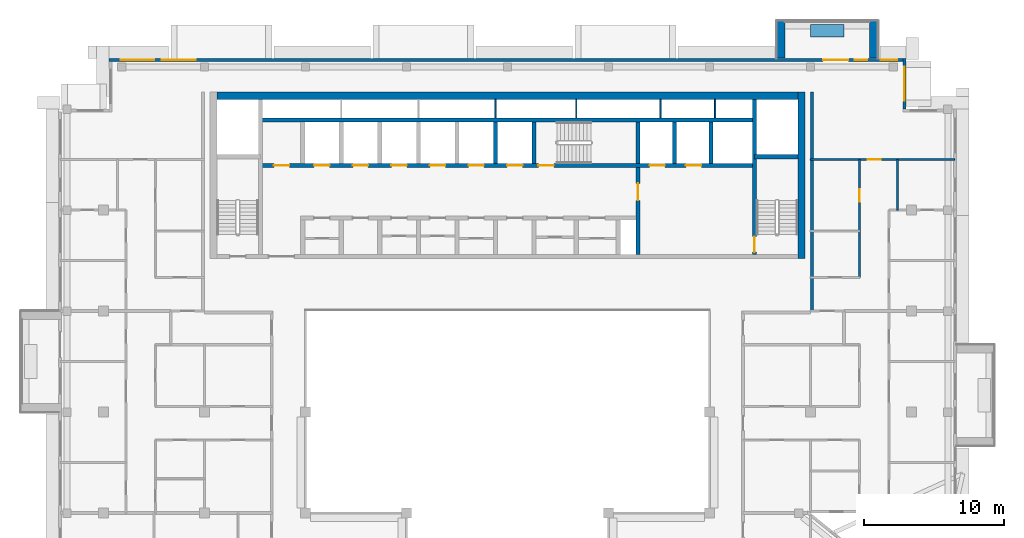
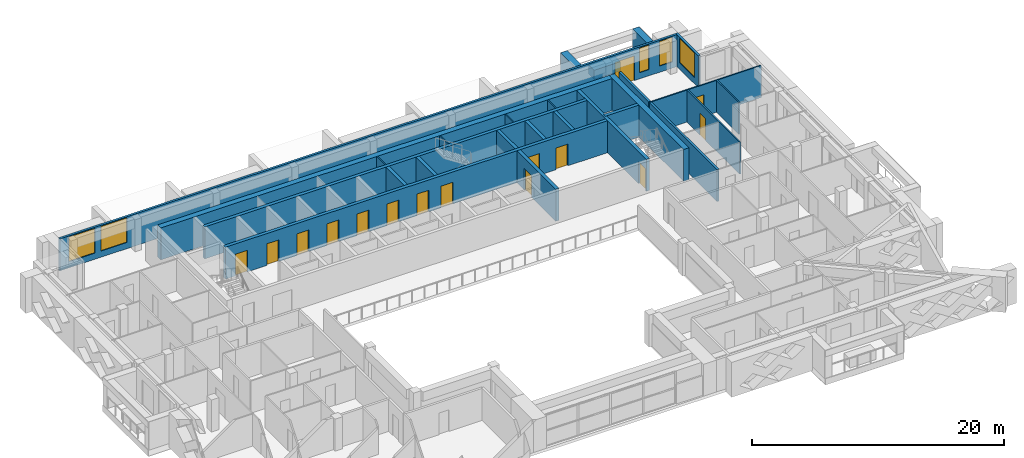
# One storey, part 11 of 19: 25 walls, 15 doors, 5 windows, 20 openings.
"""IFC4 building model written with IfcOpenShell, lengths in metres."""

from ifc_helpers import new_model, si_unit, direction, frame, frame_2d, origin, place, context, subcontext, project, spatial, rectangle, extrude, material, layer, layer_set, type_object, element, fill, save


model = new_model("IFC4")

# Units and contexts
model_context = context("Model", 3, precision=1e-05, world=origin(), true_north=direction((0.0, 1.0)))
body_context = subcontext(model_context, "Body", "Model", "MODEL_VIEW")
ifc_project = project(units=[si_unit("LENGTHUNIT", "METRE"), si_unit("AREAUNIT", "SQUARE_METRE"), si_unit("VOLUMEUNIT", "CUBIC_METRE"), si_unit("PLANEANGLEUNIT", "RADIAN"), si_unit("MASSUNIT", "GRAM", prefix="KILO")], contexts=[model_context])

# Site, building, storey
site_placement = place(None, origin())
site = spatial("IfcSite", under=ifc_project, at=site_placement, CompositionType="ELEMENT")
building_placement = place(site_placement, origin())
building = spatial("IfcBuilding", under=site, at=building_placement, Name="Saffron Iwan Residences", CompositionType="ELEMENT")
storey_placement = place(building_placement, frame((0.0, 0.0, 267.5)))
storey = spatial("IfcBuildingStorey", under=building, at=storey_placement, Name="L72", CompositionType="ELEMENT", Elevation=267.5)

# Walls
ifc_material_1 = material(Name="Concrete C50/60 white painted", Category="concrete")
ifc_layer_1 = layer(ifc_material_1, 0.60009765625)
ifc_layer_set_1 = layer_set([ifc_layer_1], Name="Concrete C50/60 white painted")
wall_type_1 = type_object("IfcWallType", Name="BALCONY FIN 600", PredefinedType="SOLIDWALL", material=ifc_layer_set_1)
for number, where, z_axis, x_axis, name in (
    (1, (76.5, 80.449951171875, 0.0), (0.0, 0.0, 1.0), (0.0, 1.0, 0.0), "Balcony fin L72 F5-0a"),
    (2, (69.89990234375, 80.449951171875, 0.0), (0.0, 0.0, 1.0), (0.0, 1.0, 0.0), "Balcony fin L72 F5-0b"),
):
    element("IfcWall", number, at=place(storey_placement, frame(where, z_axis=z_axis, x_axis=x_axis)), inside=storey, type_object=wall_type_1, Name=name, PredefinedType="SOLIDWALL", context=body_context, shape_type="SweptSolid", body=[
        extrude(rectangle(XDim=2.650146484375, YDim=0.60009765625, at=frame_2d((1.3251953125, 0.0))), origin(), (0.0, 0.0, 1.0), 2.72900390625),
    ])
ifc_material_2 = material(Name="Concrete C35/45 white painted", Category="concrete")
ifc_layer_2 = layer(ifc_material_2, 0.14990234375)
ifc_layer_set_2 = layer_set([ifc_layer_2], Name="Concrete C35/45 white painted")
wall_type_2 = type_object("IfcWallType", Name="BALCONY PLANTER", PredefinedType="SOLIDWALL", material=ifc_layer_set_2)
wall_1_placement = place(storey_placement, frame((74.39990234375, 82.375, 0.0), z_axis=(0.0, 0.0, 1.0), x_axis=(-1.0, 0.0, 0.0)))
element("IfcWall", 3, at=wall_1_placement, inside=storey, type_object=wall_type_2, Name="PLANTER L72 F5-0", PredefinedType="SOLIDWALL", context=body_context, shape_type="SweptSolid", body=[
    extrude(rectangle(XDim=2.39990234375, YDim=0.89990234375, at=frame_2d((1.199951171875, 0.0))), origin(), (0.0, 0.0, 1.0), 0.89990234375),
])

# Wall, opening, window
ifc_material_3 = material(Name="Concrete C40/50", Category="concrete")
ifc_layer_3 = layer(ifc_material_3, 0.199951171875)
ifc_layer_set_3 = layer_set([ifc_layer_3], Name="Concrete C40/50")
wall_type_3 = type_object("IfcWallType", Name="EXTERNAL WALL 200", PredefinedType="SOLIDWALL", material=ifc_layer_set_3)
wall_2_placement = place(storey_placement, frame((78.699951171875, 76.800048828125, 0.0), z_axis=(0.0, 0.0, 1.0), x_axis=(0.0, 1.0, 0.0)))
wall_2 = element("IfcWall", 4, at=wall_2_placement, inside=storey, type_object=wall_type_3, Name="External wall L72 F4.0", PredefinedType="SOLIDWALL", context=body_context, shape_type="SweptSolid", body=[
    extrude(rectangle(XDim=3.599853515625, YDim=0.199951171875, at=frame_2d((1.7998046875, 0.0))), origin(), (0.0, 0.0, 1.0), 3.09912109375),
])
opening_1_placement = place(wall_2_placement, frame((0.60009765625, 0.0, 0.60009765625)))
opening_1 = element("IfcOpeningElement", 5, at=opening_1_placement, cuts=wall_2, Name="Opening W1", PredefinedType="OPENING", context=body_context, shape_type="SweptSolid", body=[
    extrude(rectangle(XDim=2.39990234375, YDim=2.39990234375, at=frame_2d((1.199951171875, 1.199951171875))), frame((0.0, 0.10986328125, 0.0), z_axis=(0.0, -1.0, 0.0), x_axis=(1.0, 0.0, 0.0)), (0.0, 0.0, 1.0), 0.219970703125),
])
ifc_material_4 = material(Name="Clear glass, laminated double glazed", Category="glass")
window_type_1 = type_object("IfcWindowType", Name="WINDOW 2400 x 2400", PartitioningType="DOUBLE_PANEL_VERTICAL", PredefinedType="WINDOW", material=ifc_material_4)
window_1_placement = place(opening_1_placement, origin())
window_1 = element("IfcWindow", 6, at=window_1_placement, inside=storey, type_object=window_type_1, Name="Window L72 F4.0", OverallHeight=2.39990234375, OverallWidth=2.39990234375, PartitioningType="DOUBLE_PANEL_VERTICAL", PredefinedType="WINDOW", context=body_context, shape_type="SweptSolid", body=[
    extrude(rectangle(XDim=2.39990234375, YDim=2.39990234375, at=frame_2d((1.199951171875, 1.199951171875))), frame((0.0, 0.030029296875, 0.0), z_axis=(0.0, -1.0, 0.0), x_axis=(1.0, 0.0, 0.0)), (0.0, 0.0, 1.0), 0.06005859375),
])
fill(opening_1, window_1)

# Wall, openings, door, windows
wall_3_placement = place(storey_placement, frame((78.60009765625, 80.300048828125, 0.0), z_axis=(0.0, 0.0, 1.0), x_axis=(-1.0, 0.0, 0.0)))
wall_3 = element("IfcWall", 7, at=wall_3_placement, inside=storey, type_object=wall_type_3, Name="External wall L72 F5.0", PredefinedType="SOLIDWALL", context=body_context, shape_type="SweptSolid", body=[
    extrude(rectangle(XDim=56.60009765625, YDim=0.199951171875, at=frame_2d((28.300048828125, 0.0))), origin(), (0.0, 0.0, 1.0), 3.09912109375),
])
opening_2_placement = place(wall_3_placement, frame((3.89990234375, 0.0, 0.0)))
opening_2 = element("IfcOpeningElement", 8, at=opening_2_placement, cuts=wall_3, Name="Opening BD1", PredefinedType="OPENING", context=body_context, shape_type="SweptSolid", body=[
    extrude(rectangle(XDim=1.800048828125, YDim=2.39990234375, at=frame_2d((0.89990234375, 1.199951171875))), frame((0.0, 0.10986328125, 0.0), z_axis=(0.0, -1.0, 0.0), x_axis=(1.0, 0.0, 0.0)), (0.0, 0.0, 1.0), 0.219970703125),
])
opening_3_placement = place(wall_3_placement, frame((50.433349609375, 0.0, 0.60009765625)))
opening_3 = element("IfcOpeningElement", 9, at=opening_3_placement, cuts=wall_3, Name="Opening W1", PredefinedType="OPENING", context=body_context, shape_type="SweptSolid", body=[
    extrude(rectangle(XDim=2.39990234375, YDim=2.39990234375, at=frame_2d((1.199951171875, 1.199951171875))), frame((0.0, 0.10986328125, 0.0), z_axis=(0.0, -1.0, 0.0), x_axis=(1.0, 0.0, 0.0)), (0.0, 0.0, 1.0), 0.219970703125),
])
opening_4_placement = place(wall_3_placement, frame((53.36669921875, 0.0, 0.60009765625)))
opening_4 = element("IfcOpeningElement", 10, at=opening_4_placement, cuts=wall_3, Name="Opening W1", PredefinedType="OPENING", context=body_context, shape_type="SweptSolid", body=[
    extrude(rectangle(XDim=2.39990234375, YDim=2.39990234375, at=frame_2d((1.199951171875, 1.199951171875))), frame((0.0, 0.10986328125, 0.0), z_axis=(0.0, -1.0, 0.0), x_axis=(1.0, 0.0, 0.0)), (0.0, 0.0, 1.0), 0.219970703125),
])
opening_5_placement = place(wall_3_placement, frame((0.39990234375, 0.0, 0.60009765625)))
opening_5 = element("IfcOpeningElement", 11, at=opening_5_placement, cuts=wall_3, Name="Opening W3", PredefinedType="OPENING", context=body_context, shape_type="SweptSolid", body=[
    extrude(rectangle(XDim=1.199951171875, YDim=2.39990234375, at=frame_2d((0.60009765625, 1.199951171875))), frame((0.0, 0.10986328125, 0.0), z_axis=(0.0, -1.0, 0.0), x_axis=(1.0, 0.0, 0.0)), (0.0, 0.0, 1.0), 0.219970703125),
])
opening_6_placement = place(wall_3_placement, frame((2.550048828125, 0.0, 0.60009765625)))
opening_6 = element("IfcOpeningElement", 12, at=opening_6_placement, cuts=wall_3, Name="Opening W10", PredefinedType="OPENING", context=body_context, shape_type="SweptSolid", body=[
    extrude(rectangle(XDim=0.89990234375, YDim=2.39990234375, at=frame_2d((0.449951171875, 1.199951171875))), frame((0.0, 0.10986328125, 0.0), z_axis=(0.0, -1.0, 0.0), x_axis=(1.0, 0.0, 0.0)), (0.0, 0.0, 1.0), 0.219970703125),
])
door_type_1 = type_object("IfcDoorType", Name="BALCONY DOOR 1800 x 2400", OperationType="DOUBLE_DOOR_SLIDING", PredefinedType="DOOR", material=ifc_material_4)
door_1_placement = place(opening_2_placement, origin())
door_1 = element("IfcDoor", 13, at=door_1_placement, inside=storey, type_object=door_type_1, Name="Balcony door L72 F5.0", OperationType="DOUBLE_DOOR_SLIDING", OverallHeight=2.39990234375, OverallWidth=1.800048828125, PredefinedType="DOOR", context=body_context, shape_type="SweptSolid", body=[
    extrude(rectangle(XDim=1.800048828125, YDim=2.39990234375, at=frame_2d((0.89990234375, 1.199951171875))), frame((0.0, 0.02490234375, 0.0), z_axis=(0.0, -1.0, 0.0), x_axis=(1.0, 0.0, 0.0)), (0.0, 0.0, 1.0), 0.050048828125),
])
fill(opening_2, door_1)
window_type_2 = type_object("IfcWindowType", Name="WINDOW 1200 x 2400", PartitioningType="SINGLE_PANEL", PredefinedType="WINDOW", material=ifc_material_4)
window_2_placement = place(opening_5_placement, origin())
window_2 = element("IfcWindow", 14, at=window_2_placement, inside=storey, type_object=window_type_2, Name="Window L72 F5.3", OverallHeight=2.39990234375, OverallWidth=1.199951171875, PartitioningType="SINGLE_PANEL", PredefinedType="WINDOW", context=body_context, shape_type="SweptSolid", body=[
    extrude(rectangle(XDim=1.199951171875, YDim=2.39990234375, at=frame_2d((0.60009765625, 1.199951171875))), frame((0.0, 0.030029296875, 0.0), z_axis=(0.0, -1.0, 0.0), x_axis=(1.0, 0.0, 0.0)), (0.0, 0.0, 1.0), 0.06005859375),
])
fill(opening_5, window_2)
window_3_placement = place(opening_3_placement, origin())
window_3 = element("IfcWindow", 15, at=window_3_placement, inside=storey, type_object=window_type_1, Name="Window L72 F5.1", OverallHeight=2.39990234375, OverallWidth=2.39990234375, PartitioningType="DOUBLE_PANEL_VERTICAL", PredefinedType="WINDOW", context=body_context, shape_type="SweptSolid", body=[
    extrude(rectangle(XDim=2.39990234375, YDim=2.39990234375, at=frame_2d((1.199951171875, 1.199951171875))), frame((0.0, 0.030029296875, 0.0), z_axis=(0.0, -1.0, 0.0), x_axis=(1.0, 0.0, 0.0)), (0.0, 0.0, 1.0), 0.06005859375),
])
fill(opening_3, window_3)
window_4_placement = place(opening_4_placement, origin())
window_4 = element("IfcWindow", 16, at=window_4_placement, inside=storey, type_object=window_type_1, Name="Window L72 F5.2", OverallHeight=2.39990234375, OverallWidth=2.39990234375, PartitioningType="DOUBLE_PANEL_VERTICAL", PredefinedType="WINDOW", context=body_context, shape_type="SweptSolid", body=[
    extrude(rectangle(XDim=2.39990234375, YDim=2.39990234375, at=frame_2d((1.199951171875, 1.199951171875))), frame((0.0, 0.030029296875, 0.0), z_axis=(0.0, -1.0, 0.0), x_axis=(1.0, 0.0, 0.0)), (0.0, 0.0, 1.0), 0.06005859375),
])
fill(opening_4, window_4)
window_type_3 = type_object("IfcWindowType", Name="WINDOW 900 x 2400", PartitioningType="SINGLE_PANEL", PredefinedType="WINDOW", material=ifc_material_4)
window_5_placement = place(opening_6_placement, origin())
window_5 = element("IfcWindow", 17, at=window_5_placement, inside=storey, type_object=window_type_3, Name="Window L72 F5.4", OverallHeight=2.39990234375, OverallWidth=0.89990234375, PartitioningType="SINGLE_PANEL", PredefinedType="WINDOW", context=body_context, shape_type="SweptSolid", body=[
    extrude(rectangle(XDim=0.89990234375, YDim=2.39990234375, at=frame_2d((0.449951171875, 1.199951171875))), frame((0.0, 0.030029296875, 0.0), z_axis=(0.0, -1.0, 0.0), x_axis=(1.0, 0.0, 0.0)), (0.0, 0.0, 1.0), 0.06005859375),
])
fill(opening_6, window_5)

# Wall, opening, door
ifc_material_5 = material(Name="Gypsum board partition")
ifc_layer_4 = layer(ifc_material_5, 0.1201171875)
ifc_layer_set_4 = layer_set([ifc_layer_4], Name="Gypsum board partition")
wall_type_4 = type_object("IfcWallType", Name="Flat partition 120", PredefinedType="PARTITIONING", material=ifc_layer_set_4)
wall_4_placement = place(storey_placement, frame((72.0, 73.199951171875, 0.0), z_axis=(0.0, 0.0, 1.0), x_axis=(1.0, 0.0, 0.0)))
wall_4 = element("IfcWall", 18, at=wall_4_placement, inside=storey, type_object=wall_type_4, Name="W-L72-PART-h73.2-72", PredefinedType="PARTITIONING", context=body_context, shape_type="SweptSolid", body=[
    extrude(rectangle(XDim=10.27490234375, YDim=0.1201171875, at=frame_2d((5.137451171875, 0.0))), origin(), (0.0, 0.0, 1.0), 3.09912109375),
])
opening_7_placement = place(wall_4_placement, frame((4.10009765625, 0.0, 0.0)))
opening_7 = element("IfcOpeningElement", 19, at=opening_7_placement, cuts=wall_4, Name="Opening FD2", PredefinedType="OPENING", context=body_context, shape_type="SweptSolid", body=[
    extrude(rectangle(XDim=0.89990234375, YDim=2.10009765625, at=frame_2d((0.449951171875, 1.050048828125))), frame((0.0, 0.070068359375, 0.0), z_axis=(0.0, -1.0, 0.0), x_axis=(1.0, 0.0, 0.0)), (0.0, 0.0, 1.0), 0.14013671875),
])
ifc_material_6 = material(Name="Timber door", Category="wood")
door_type_2 = type_object("IfcDoorType", Name="Flat door 900", OperationType="NOTDEFINED", PredefinedType="DOOR", material=ifc_material_6)
door_2_placement = place(opening_7_placement, origin())
door_2 = element("IfcDoor", 20, at=door_2_placement, inside=storey, type_object=door_type_2, Name="Door L72-038", OperationType="SINGLE_SWING_LEFT", OverallHeight=2.10009765625, OverallWidth=0.89990234375, PredefinedType="DOOR", context=body_context, shape_type="SweptSolid", body=[
    extrude(rectangle(XDim=0.89990234375, YDim=2.10009765625, at=frame_2d((0.449951171875, 1.050048828125))), frame((0.0, 0.02490234375, 0.0), z_axis=(0.0, -1.0, 0.0), x_axis=(1.0, 0.0, 0.0)), (0.0, 0.0, 1.0), 0.050048828125),
])
fill(opening_7, door_2)

wall_5_placement = place(storey_placement, frame((75.5, 64.800048828125, 0.0), z_axis=(0.0, 0.0, 1.0), x_axis=(0.0, 1.0, 0.0)))
wall_5 = element("IfcWall", 21, at=wall_5_placement, inside=storey, type_object=wall_type_4, Name="W-L72-PART-v75.5-64.8", PredefinedType="PARTITIONING", context=body_context, shape_type="SweptSolid", body=[
    extrude(rectangle(XDim=8.39990234375, YDim=0.1201171875, at=frame_2d((4.199951171875, 0.0))), origin(), (0.0, 0.0, 1.0), 3.09912109375),
])
opening_8_placement = place(wall_5_placement, frame((5.39990234375, 0.0, 0.0)))
opening_8 = element("IfcOpeningElement", 22, at=opening_8_placement, cuts=wall_5, Name="Opening FD2", PredefinedType="OPENING", context=body_context, shape_type="SweptSolid", body=[
    extrude(rectangle(XDim=0.89990234375, YDim=2.10009765625, at=frame_2d((0.449951171875, 1.050048828125))), frame((0.0, 0.070068359375, 0.0), z_axis=(0.0, -1.0, 0.0), x_axis=(1.0, 0.0, 0.0)), (0.0, 0.0, 1.0), 0.14013671875),
])
door_3_placement = place(opening_8_placement, origin())
door_3 = element("IfcDoor", 23, at=door_3_placement, inside=storey, type_object=door_type_2, Name="Door L72-040", OperationType="SINGLE_SWING_RIGHT", OverallHeight=2.10009765625, OverallWidth=0.89990234375, PredefinedType="DOOR", context=body_context, shape_type="SweptSolid", body=[
    extrude(rectangle(XDim=0.89990234375, YDim=2.10009765625, at=frame_2d((0.449951171875, 1.050048828125))), frame((0.0, 0.02490234375, 0.0), z_axis=(0.0, -1.0, 0.0), x_axis=(1.0, 0.0, 0.0)), (0.0, 0.0, 1.0), 0.050048828125),
])
fill(opening_8, door_3)

# Walls
wall_6_placement = place(storey_placement, frame((78.199951171875, 69.60009765625, 0.0), z_axis=(0.0, 0.0, 1.0), x_axis=(0.0, 1.0, 0.0)))
element("IfcWall", 24, at=wall_6_placement, inside=storey, type_object=wall_type_4, Name="W-L72-PART-v78.2-69.6", PredefinedType="PARTITIONING", context=body_context, shape_type="SweptSolid", body=[
    extrude(rectangle(XDim=3.599853515625, YDim=0.1201171875, at=frame_2d((1.7998046875, 0.0))), origin(), (0.0, 0.0, 1.0), 3.09912109375),
])
ifc_material_7 = material(Name="Fire-rated gypsum board wall")
ifc_layer_5 = layer(ifc_material_7, 0.199951171875)
ifc_layer_set_5 = layer_set([ifc_layer_5], Name="Fire-rated gypsum board wall")
wall_type_5 = type_object("IfcWallType", Name="Gallery wall 200", PredefinedType="SOLIDWALL", material=ifc_layer_set_5)
wall_7_placement = place(storey_placement, frame((72.10009765625, 62.39990234375, 0.0), z_axis=(0.0, 0.0, 1.0), x_axis=(0.0, 1.0, 0.0)))
element("IfcWall", 25, at=wall_7_placement, inside=storey, type_object=wall_type_5, Name="W-L72-CORR-v72-62.4", PredefinedType="SOLIDWALL", context=body_context, shape_type="SweptSolid", body=[
    extrude(rectangle(XDim=15.60009765625, YDim=0.199951171875, at=frame_2d((7.800048828125, 0.0))), origin(), (0.0, 0.0, 1.0), 3.09912109375),
])
ifc_material_8 = material(Name="Fire-rated plasterboard partition")
ifc_layer_6 = layer(ifc_material_8, 0.10009765625)
ifc_layer_set_6 = layer_set([ifc_layer_6], Name="Fire-rated plasterboard partition")
wall_type_6 = type_object("IfcWallType", Name="Riser partition 100", PredefinedType="PARTITIONING", material=ifc_layer_set_6)
for number, where, z_axis, x_axis, name in (
    (26, (49.550048828125, 76.175048828125, 0.0), (0.0, 0.0, 1.0), (0.0, 1.0, 0.0), "Core partition P09"),
    (27, (55.300048828125, 76.175048828125, 0.0), (0.0, 0.0, 1.0), (0.0, 1.0, 0.0), "Core partition P10"),
    (28, (61.300048828125, 76.175048828125, 0.0), (0.0, 0.0, 1.0), (0.0, 1.0, 0.0), "Core partition P11"),
    (29, (65.199951171875, 76.175048828125, 0.0), (0.0, 0.0, 1.0), (0.0, 1.0, 0.0), "Core partition P12"),
):
    element("IfcWall", number, at=place(storey_placement, frame(where, z_axis=z_axis, x_axis=x_axis)), inside=storey, type_object=wall_type_6, Name=name, PredefinedType="PARTITIONING", context=body_context, shape_type="SweptSolid", body=[
        extrude(rectangle(XDim=1.324951171875, YDim=0.10009765625, at=frame_2d((0.66259765625, 0.0))), origin(), (0.0, 0.0, 1.0), 3.09912109375),
    ])

# Wall, openings, doors
ifc_layer_7 = layer(ifc_material_3, 0.300048828125)
ifc_layer_set_7 = layer_set([ifc_layer_7], Name="Concrete C40/50")
wall_type_7 = type_object("IfcWallType", Name="WALL CORE 300 C40/50 3099 HIGH", PredefinedType="SHEAR", material=ifc_layer_set_7)
wall_8_placement = place(storey_placement, frame((32.800048828125, 72.77490234375, 0.0), z_axis=(0.0, 0.0, 1.0), x_axis=(1.0, 0.0, 0.0)))
wall_8 = element("IfcWall", 30, at=wall_8_placement, inside=storey, type_object=wall_type_7, Name="Core wall", PredefinedType="SHEAR", context=body_context, shape_type="SweptSolid", body=[
    extrude(rectangle(XDim=35.199951171875, YDim=0.300048828125, at=frame_2d((17.60009765625, 0.0))), origin(), (0.0, 0.0, 1.0), 3.09912109375),
])
opening_9_placement = place(wall_8_placement, frame((19.800048828125, 0.0, 0.0)))
opening_9 = element("IfcOpeningElement", 31, at=opening_9_placement, cuts=wall_8, Name="Opening SD", PredefinedType="OPENING", context=body_context, shape_type="SweptSolid", body=[
    extrude(rectangle(XDim=1.10009765625, YDim=2.10009765625, at=frame_2d((0.550048828125, 1.050048828125))), frame((0.0, 0.16015625, 0.0), z_axis=(0.0, -1.0, 0.0), x_axis=(1.0, 0.0, 0.0)), (0.0, 0.0, 1.0), 0.320068359375),
])
opening_10_placement = place(wall_8_placement, frame((27.72509765625, 0.0, 0.0)))
opening_10 = element("IfcOpeningElement", 32, at=opening_10_placement, cuts=wall_8, Name="Opening LD", PredefinedType="OPENING", context=body_context, shape_type="SweptSolid", body=[
    extrude(rectangle(XDim=1.10009765625, YDim=2.10009765625, at=frame_2d((0.550048828125, 1.050048828125))), frame((0.0, 0.16015625, 0.0), z_axis=(0.0, -1.0, 0.0), x_axis=(1.0, 0.0, 0.0)), (0.0, 0.0, 1.0), 0.320068359375),
])
opening_11_placement = place(wall_8_placement, frame((30.324951171875, 0.0, 0.0)))
opening_11 = element("IfcOpeningElement", 33, at=opening_11_placement, cuts=wall_8, Name="Opening LD", PredefinedType="OPENING", context=body_context, shape_type="SweptSolid", body=[
    extrude(rectangle(XDim=1.10009765625, YDim=2.10009765625, at=frame_2d((0.550048828125, 1.050048828125))), frame((0.0, 0.16015625, 0.0), z_axis=(0.0, -1.0, 0.0), x_axis=(1.0, 0.0, 0.0)), (0.0, 0.0, 1.0), 0.320068359375),
])
opening_12_placement = place(wall_8_placement, frame((3.824951171875, 0.0, 0.0)))
opening_12 = element("IfcOpeningElement", 34, at=opening_12_placement, cuts=wall_8, Name="Opening LD", PredefinedType="OPENING", context=body_context, shape_type="SweptSolid", body=[
    extrude(rectangle(XDim=1.10009765625, YDim=2.10009765625, at=frame_2d((0.550048828125, 1.050048828125))), frame((0.0, 0.16015625, 0.0), z_axis=(0.0, -1.0, 0.0), x_axis=(1.0, 0.0, 0.0)), (0.0, 0.0, 1.0), 0.320068359375),
])
opening_13_placement = place(wall_8_placement, frame((6.574951171875, 0.0, 0.0)))
opening_13 = element("IfcOpeningElement", 35, at=opening_13_placement, cuts=wall_8, Name="Opening LD", PredefinedType="OPENING", context=body_context, shape_type="SweptSolid", body=[
    extrude(rectangle(XDim=1.10009765625, YDim=2.10009765625, at=frame_2d((0.550048828125, 1.050048828125))), frame((0.0, 0.16015625, 0.0), z_axis=(0.0, -1.0, 0.0), x_axis=(1.0, 0.0, 0.0)), (0.0, 0.0, 1.0), 0.320068359375),
])
opening_14_placement = place(wall_8_placement, frame((9.324951171875, 0.0, 0.0)))
opening_14 = element("IfcOpeningElement", 36, at=opening_14_placement, cuts=wall_8, Name="Opening LD", PredefinedType="OPENING", context=body_context, shape_type="SweptSolid", body=[
    extrude(rectangle(XDim=1.10009765625, YDim=2.10009765625, at=frame_2d((0.550048828125, 1.050048828125))), frame((0.0, 0.16015625, 0.0), z_axis=(0.0, -1.0, 0.0), x_axis=(1.0, 0.0, 0.0)), (0.0, 0.0, 1.0), 0.320068359375),
])
opening_15_placement = place(wall_8_placement, frame((12.074951171875, 0.0, 0.0)))
opening_15 = element("IfcOpeningElement", 37, at=opening_15_placement, cuts=wall_8, Name="Opening LD", PredefinedType="OPENING", context=body_context, shape_type="SweptSolid", body=[
    extrude(rectangle(XDim=1.10009765625, YDim=2.10009765625, at=frame_2d((0.550048828125, 1.050048828125))), frame((0.0, 0.16015625, 0.0), z_axis=(0.0, -1.0, 0.0), x_axis=(1.0, 0.0, 0.0)), (0.0, 0.0, 1.0), 0.320068359375),
])
opening_16_placement = place(wall_8_placement, frame((14.824951171875, 0.0, 0.0)))
opening_16 = element("IfcOpeningElement", 38, at=opening_16_placement, cuts=wall_8, Name="Opening LD", PredefinedType="OPENING", context=body_context, shape_type="SweptSolid", body=[
    extrude(rectangle(XDim=1.10009765625, YDim=2.10009765625, at=frame_2d((0.550048828125, 1.050048828125))), frame((0.0, 0.16015625, 0.0), z_axis=(0.0, -1.0, 0.0), x_axis=(1.0, 0.0, 0.0)), (0.0, 0.0, 1.0), 0.320068359375),
])
opening_17_placement = place(wall_8_placement, frame((17.574951171875, 0.0, 0.0)))
opening_17 = element("IfcOpeningElement", 39, at=opening_17_placement, cuts=wall_8, Name="Opening LD", PredefinedType="OPENING", context=body_context, shape_type="SweptSolid", body=[
    extrude(rectangle(XDim=1.10009765625, YDim=2.10009765625, at=frame_2d((0.550048828125, 1.050048828125))), frame((0.0, 0.16015625, 0.0), z_axis=(0.0, -1.0, 0.0), x_axis=(1.0, 0.0, 0.0)), (0.0, 0.0, 1.0), 0.320068359375),
])
opening_18_placement = place(wall_8_placement, frame((0.949951171875, 0.0, 0.0)))
opening_18 = element("IfcOpeningElement", 40, at=opening_18_placement, cuts=wall_8, Name="Opening SR", PredefinedType="OPENING", context=body_context, shape_type="SweptSolid", body=[
    extrude(rectangle(XDim=1.10009765625, YDim=2.10009765625, at=frame_2d((0.550048828125, 1.050048828125))), frame((0.0, 0.16015625, 0.0), z_axis=(0.0, -1.0, 0.0), x_axis=(1.0, 0.0, 0.0)), (0.0, 0.0, 1.0), 0.320068359375),
])
ifc_material_9 = material(Name="Steel fire door", Category="steel")
door_type_3 = type_object("IfcDoorType", Name="Lift landing door 1100", OperationType="SLIDING_TO_LEFT", PredefinedType="DOOR", material=ifc_material_9)
door_4_placement = place(opening_10_placement, origin())
door_4 = element("IfcDoor", 41, at=door_4_placement, inside=storey, type_object=door_type_3, Name="Landing doors FF1", OperationType="SLIDING_TO_LEFT", OverallHeight=2.10009765625, OverallWidth=1.10009765625, PredefinedType="DOOR", context=body_context, shape_type="SweptSolid", body=[
    extrude(rectangle(XDim=1.10009765625, YDim=2.10009765625, at=frame_2d((0.550048828125, 1.050048828125))), frame((0.0, 0.02490234375, 0.0), z_axis=(0.0, -1.0, 0.0), x_axis=(1.0, 0.0, 0.0)), (0.0, 0.0, 1.0), 0.050048828125),
])
fill(opening_10, door_4)
door_5_placement = place(opening_11_placement, origin())
door_5 = element("IfcDoor", 42, at=door_5_placement, inside=storey, type_object=door_type_3, Name="Landing doors FF2", OperationType="SLIDING_TO_LEFT", OverallHeight=2.10009765625, OverallWidth=1.10009765625, PredefinedType="DOOR", context=body_context, shape_type="SweptSolid", body=[
    extrude(rectangle(XDim=1.10009765625, YDim=2.10009765625, at=frame_2d((0.550048828125, 1.050048828125))), frame((0.0, 0.02490234375, 0.0), z_axis=(0.0, -1.0, 0.0), x_axis=(1.0, 0.0, 0.0)), (0.0, 0.0, 1.0), 0.050048828125),
])
fill(opening_11, door_5)
door_6_placement = place(opening_12_placement, origin())
door_6 = element("IfcDoor", 43, at=door_6_placement, inside=storey, type_object=door_type_3, Name="Landing doors HR1", OperationType="SLIDING_TO_LEFT", OverallHeight=2.10009765625, OverallWidth=1.10009765625, PredefinedType="DOOR", context=body_context, shape_type="SweptSolid", body=[
    extrude(rectangle(XDim=1.10009765625, YDim=2.10009765625, at=frame_2d((0.550048828125, 1.050048828125))), frame((0.0, 0.02490234375, 0.0), z_axis=(0.0, -1.0, 0.0), x_axis=(1.0, 0.0, 0.0)), (0.0, 0.0, 1.0), 0.050048828125),
])
fill(opening_12, door_6)
door_7_placement = place(opening_13_placement, origin())
door_7 = element("IfcDoor", 44, at=door_7_placement, inside=storey, type_object=door_type_3, Name="Landing doors HR2", OperationType="SLIDING_TO_LEFT", OverallHeight=2.10009765625, OverallWidth=1.10009765625, PredefinedType="DOOR", context=body_context, shape_type="SweptSolid", body=[
    extrude(rectangle(XDim=1.10009765625, YDim=2.10009765625, at=frame_2d((0.550048828125, 1.050048828125))), frame((0.0, 0.02490234375, 0.0), z_axis=(0.0, -1.0, 0.0), x_axis=(1.0, 0.0, 0.0)), (0.0, 0.0, 1.0), 0.050048828125),
])
fill(opening_13, door_7)
door_8_placement = place(opening_14_placement, origin())
door_8 = element("IfcDoor", 45, at=door_8_placement, inside=storey, type_object=door_type_3, Name="Landing doors HR3", OperationType="SLIDING_TO_LEFT", OverallHeight=2.10009765625, OverallWidth=1.10009765625, PredefinedType="DOOR", context=body_context, shape_type="SweptSolid", body=[
    extrude(rectangle(XDim=1.10009765625, YDim=2.10009765625, at=frame_2d((0.550048828125, 1.050048828125))), frame((0.0, 0.02490234375, 0.0), z_axis=(0.0, -1.0, 0.0), x_axis=(1.0, 0.0, 0.0)), (0.0, 0.0, 1.0), 0.050048828125),
])
fill(opening_14, door_8)
door_9_placement = place(opening_15_placement, origin())
door_9 = element("IfcDoor", 46, at=door_9_placement, inside=storey, type_object=door_type_3, Name="Landing doors HR4", OperationType="SLIDING_TO_LEFT", OverallHeight=2.10009765625, OverallWidth=1.10009765625, PredefinedType="DOOR", context=body_context, shape_type="SweptSolid", body=[
    extrude(rectangle(XDim=1.10009765625, YDim=2.10009765625, at=frame_2d((0.550048828125, 1.050048828125))), frame((0.0, 0.02490234375, 0.0), z_axis=(0.0, -1.0, 0.0), x_axis=(1.0, 0.0, 0.0)), (0.0, 0.0, 1.0), 0.050048828125),
])
fill(opening_15, door_9)
door_10_placement = place(opening_16_placement, origin())
door_10 = element("IfcDoor", 47, at=door_10_placement, inside=storey, type_object=door_type_3, Name="Landing doors HR5", OperationType="SLIDING_TO_LEFT", OverallHeight=2.10009765625, OverallWidth=1.10009765625, PredefinedType="DOOR", context=body_context, shape_type="SweptSolid", body=[
    extrude(rectangle(XDim=1.10009765625, YDim=2.10009765625, at=frame_2d((0.550048828125, 1.050048828125))), frame((0.0, 0.02490234375, 0.0), z_axis=(0.0, -1.0, 0.0), x_axis=(1.0, 0.0, 0.0)), (0.0, 0.0, 1.0), 0.050048828125),
])
fill(opening_16, door_10)
door_11_placement = place(opening_17_placement, origin())
door_11 = element("IfcDoor", 48, at=door_11_placement, inside=storey, type_object=door_type_3, Name="Landing doors HR6", OperationType="SLIDING_TO_LEFT", OverallHeight=2.10009765625, OverallWidth=1.10009765625, PredefinedType="DOOR", context=body_context, shape_type="SweptSolid", body=[
    extrude(rectangle(XDim=1.10009765625, YDim=2.10009765625, at=frame_2d((0.550048828125, 1.050048828125))), frame((0.0, 0.02490234375, 0.0), z_axis=(0.0, -1.0, 0.0), x_axis=(1.0, 0.0, 0.0)), (0.0, 0.0, 1.0), 0.050048828125),
])
fill(opening_17, door_11)
door_type_4 = type_object("IfcDoorType", Name="Service door 1100", OperationType="NOTDEFINED", PredefinedType="DOOR", material=ifc_material_9)
door_12_placement = place(opening_18_placement, origin())
door_12 = element("IfcDoor", 49, at=door_12_placement, inside=storey, type_object=door_type_4, Name="Door Storage room", OperationType="SINGLE_SWING_LEFT", OverallHeight=2.10009765625, OverallWidth=1.10009765625, PredefinedType="DOOR", context=body_context, shape_type="SweptSolid", body=[
    extrude(rectangle(XDim=1.10009765625, YDim=2.10009765625, at=frame_2d((0.550048828125, 1.050048828125))), frame((0.0, 0.02490234375, 0.0), z_axis=(0.0, -1.0, 0.0), x_axis=(1.0, 0.0, 0.0)), (0.0, 0.0, 1.0), 0.050048828125),
])
fill(opening_18, door_12)
door_type_5 = type_object("IfcDoorType", Name="Stair door 1100", OperationType="NOTDEFINED", PredefinedType="DOOR", material=ifc_material_9)
door_13_placement = place(opening_9_placement, origin())
door_13 = element("IfcDoor", 50, at=door_13_placement, inside=storey, type_object=door_type_5, Name="Stair door ST-C", OperationType="SINGLE_SWING_LEFT", OverallHeight=2.10009765625, OverallWidth=1.10009765625, PredefinedType="DOOR", context=body_context, shape_type="SweptSolid", body=[
    extrude(rectangle(XDim=1.10009765625, YDim=2.10009765625, at=frame_2d((0.550048828125, 1.050048828125))), frame((0.0, 0.02490234375, 0.0), z_axis=(0.0, -1.0, 0.0), x_axis=(1.0, 0.0, 0.0)), (0.0, 0.0, 1.0), 0.050048828125),
])
fill(opening_9, door_13)

# Walls
wall_9_placement = place(storey_placement, frame((32.800048828125, 76.02490234375, 0.0), z_axis=(0.0, 0.0, 1.0), x_axis=(1.0, 0.0, 0.0)))
element("IfcWall", 51, at=wall_9_placement, inside=storey, type_object=wall_type_7, Name="Core wall", PredefinedType="SHEAR", context=body_context, shape_type="SweptSolid", body=[
    extrude(rectangle(XDim=35.199951171875, YDim=0.300048828125, at=frame_2d((17.60009765625, 0.0))), origin(), (0.0, 0.0, 1.0), 3.09912109375),
])
wall_10_placement = place(storey_placement, frame((68.0, 73.39990234375, 0.0), z_axis=(0.0, 0.0, 1.0), x_axis=(1.0, 0.0, 0.0)))
element("IfcWall", 52, at=wall_10_placement, inside=storey, type_object=wall_type_7, Name="Core wall", PredefinedType="SHEAR", context=body_context, shape_type="SweptSolid", body=[
    extrude(rectangle(XDim=3.10009765625, YDim=0.300048828125, at=frame_2d((1.550048828125, 0.0))), origin(), (0.0, 0.0, 1.0), 3.09912109375),
])

# Wall, opening, door
wall_11_placement = place(storey_placement, frame((68.0, 66.449951171875, 0.0), z_axis=(0.0, 0.0, 1.0), x_axis=(0.0, 1.0, 0.0)))
wall_11 = element("IfcWall", 53, at=wall_11_placement, inside=storey, type_object=wall_type_7, Name="Core wall", PredefinedType="SHEAR", context=body_context, shape_type="SweptSolid", body=[
    extrude(rectangle(XDim=11.050048828125, YDim=0.300048828125, at=frame_2d((5.52490234375, 0.0))), origin(), (0.0, 0.0, 1.0), 3.09912109375),
])
opening_19_placement = place(wall_11_placement, frame((0.14990234375, 0.0, 0.0)))
opening_19 = element("IfcOpeningElement", 54, at=opening_19_placement, cuts=wall_11, Name="Opening SD", PredefinedType="OPENING", context=body_context, shape_type="SweptSolid", body=[
    extrude(rectangle(XDim=1.10009765625, YDim=2.10009765625, at=frame_2d((0.550048828125, 1.050048828125))), frame((0.0, 0.16015625, 0.0), z_axis=(0.0, -1.0, 0.0), x_axis=(1.0, 0.0, 0.0)), (0.0, 0.0, 1.0), 0.320068359375),
])
door_14_placement = place(opening_19_placement, origin())
door_14 = element("IfcDoor", 55, at=door_14_placement, inside=storey, type_object=door_type_5, Name="Stair door ST-E", OperationType="SINGLE_SWING_RIGHT", OverallHeight=2.10009765625, OverallWidth=1.10009765625, PredefinedType="DOOR", context=body_context, shape_type="SweptSolid", body=[
    extrude(rectangle(XDim=1.10009765625, YDim=2.10009765625, at=frame_2d((0.550048828125, 1.050048828125))), frame((0.0, 0.02490234375, 0.0), z_axis=(0.0, -1.0, 0.0), x_axis=(1.0, 0.0, 0.0)), (0.0, 0.0, 1.0), 0.050048828125),
])
fill(opening_19, door_14)

wall_12_placement = place(storey_placement, frame((59.699951171875, 66.449951171875, 0.0), z_axis=(0.0, 0.0, 1.0), x_axis=(0.0, 1.0, 0.0)))
wall_12 = element("IfcWall", 56, at=wall_12_placement, inside=storey, type_object=wall_type_7, Name="Core wall", PredefinedType="SHEAR", context=body_context, shape_type="SweptSolid", body=[
    extrude(rectangle(XDim=6.175048828125, YDim=0.300048828125, at=frame_2d((3.08740234375, 0.0))), origin(), (0.0, 0.0, 1.0), 3.09912109375),
])
opening_20_placement = place(wall_12_placement, frame((3.85009765625, 0.0, 0.0)))
opening_20 = element("IfcOpeningElement", 57, at=opening_20_placement, cuts=wall_12, Name="Opening FD", PredefinedType="OPENING", context=body_context, shape_type="SweptSolid", body=[
    extrude(rectangle(XDim=1.199951171875, YDim=2.10009765625, at=frame_2d((0.60009765625, 1.050048828125))), frame((0.0, 0.16015625, 0.0), z_axis=(0.0, -1.0, 0.0), x_axis=(1.0, 0.0, 0.0)), (0.0, 0.0, 1.0), 0.320068359375),
])
door_type_6 = type_object("IfcDoorType", Name="Firefighting lobby door 1200", OperationType="NOTDEFINED", PredefinedType="DOOR", material=ifc_material_9)
door_15_placement = place(opening_20_placement, origin())
door_15 = element("IfcDoor", 58, at=door_15_placement, inside=storey, type_object=door_type_6, Name="Firefighting lobby door", OperationType="SINGLE_SWING_LEFT", OverallHeight=2.10009765625, OverallWidth=1.199951171875, PredefinedType="DOOR", context=body_context, shape_type="SweptSolid", body=[
    extrude(rectangle(XDim=1.199951171875, YDim=2.10009765625, at=frame_2d((0.60009765625, 1.050048828125))), frame((0.0, 0.02490234375, 0.0), z_axis=(0.0, -1.0, 0.0), x_axis=(1.0, 0.0, 0.0)), (0.0, 0.0, 1.0), 0.050048828125),
])
fill(opening_20, door_15)

# Walls
for number, where, z_axis, x_axis, name in (
    (59, (59.699951171875, 72.925048828125, 0.0), (0.0, 0.0, 1.0), (0.0, 1.0, 0.0), "Core wall"),
    (60, (49.550048828125, 72.925048828125, 0.0), (0.0, 0.0, 1.0), (0.0, 1.0, 0.0), "Core wall"),
    (61, (52.300048828125, 72.925048828125, 0.0), (0.0, 0.0, 1.0), (0.0, 1.0, 0.0), "Core wall"),
    (62, (62.300048828125, 72.925048828125, 0.0), (0.0, 0.0, 1.0), (0.0, 1.0, 0.0), "Core wall"),
    (63, (64.89990234375, 72.925048828125, 0.0), (0.0, 0.0, 1.0), (0.0, 1.0, 0.0), "Core wall"),
):
    element("IfcWall", number, at=place(storey_placement, frame(where, z_axis=z_axis, x_axis=x_axis)), inside=storey, type_object=wall_type_7, Name=name, PredefinedType="SHEAR", context=body_context, shape_type="SweptSolid", body=[
        extrude(rectangle(XDim=2.949951171875, YDim=0.300048828125, at=frame_2d((1.47509765625, 0.0))), origin(), (0.0, 0.0, 1.0), 3.09912109375),
    ])
ifc_layer_8 = layer(ifc_material_3, 0.5)
ifc_layer_set_8 = layer_set([ifc_layer_8], Name="Concrete C40/50")
wall_type_8 = type_object("IfcWallType", Name="WALL CORE 500 C40/50 3099 HIGH", PredefinedType="SHEAR", material=ifc_layer_set_8)
wall_13_placement = place(storey_placement, frame((71.35009765625, 66.14990234375, 0.0), z_axis=(0.0, 0.0, 1.0), x_axis=(0.0, 1.0, 0.0)))
element("IfcWall", 64, at=wall_13_placement, inside=storey, type_object=wall_type_8, Name="Core wall", PredefinedType="SHEAR", context=body_context, shape_type="SweptSolid", body=[
    extrude(rectangle(XDim=11.85009765625, YDim=0.5, at=frame_2d((5.925048828125, 0.0))), origin(), (0.0, 0.0, 1.0), 3.09912109375),
])
wall_14_placement = place(storey_placement, frame((29.699951171875, 77.75, 0.0), z_axis=(0.0, 0.0, 1.0), x_axis=(1.0, 0.0, 0.0)))
element("IfcWall", 65, at=wall_14_placement, inside=storey, type_object=wall_type_8, Name="Core wall", PredefinedType="SHEAR", context=body_context, shape_type="SweptSolid", body=[
    extrude(rectangle(XDim=41.400146484375, YDim=0.5, at=frame_2d((20.7001953125, 0.0))), origin(), (0.0, 0.0, 1.0), 3.09912109375),
])

save(model, "model.ifc")
